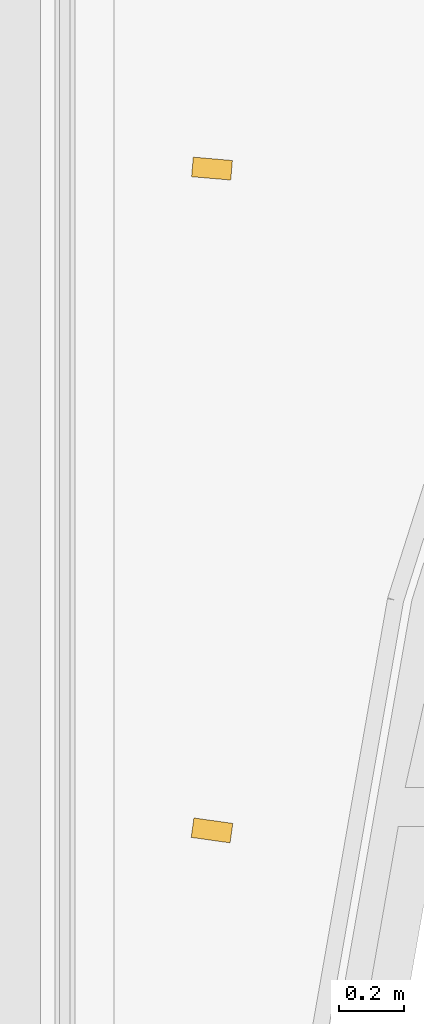
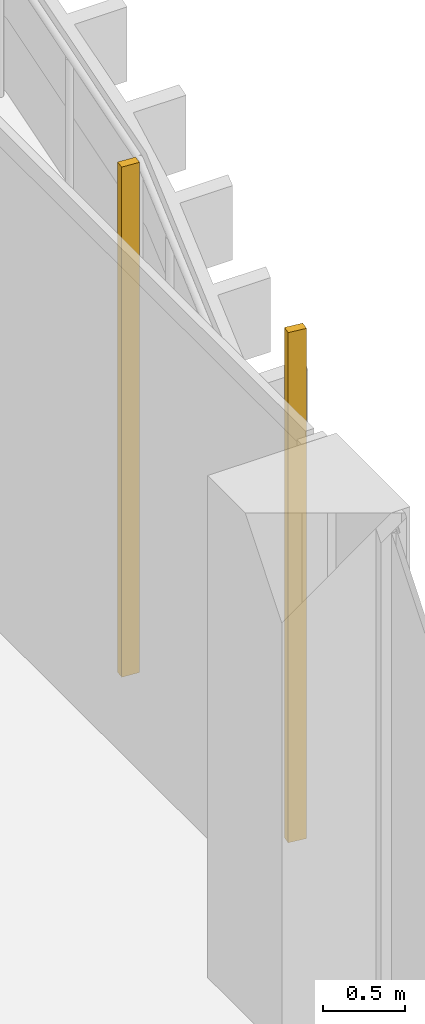
# One storey, part 25 of 27: 2 shading devices.
"""IFC4 building model written with IfcOpenShell, lengths in metres."""

from ifc_helpers import new_model, si_unit, direction, frame, origin, origin_2d, place, context, subcontext, project, spatial, rectangle, extrude, source, transform, mapped, material, material_profile, profile_set, type_object, element, save


model = new_model("IFC4")

# Units and contexts
model_context = context("Model", 3, precision=1e-05, world=origin(), true_north=direction((0.0, 1.0)))
body_context = subcontext(model_context, "Body", "Model", "MODEL_VIEW")
ifc_project = project(units=[si_unit("LENGTHUNIT", "METRE"), si_unit("AREAUNIT", "SQUARE_METRE"), si_unit("VOLUMEUNIT", "CUBIC_METRE"), si_unit("PLANEANGLEUNIT", "RADIAN"), si_unit("MASSUNIT", "GRAM", prefix="KILO")], contexts=[model_context])

# Site, building, storey
site_placement = place(None, origin())
site = spatial("IfcSite", under=ifc_project, at=site_placement, CompositionType="ELEMENT")
building_placement = place(site_placement, origin())
building = spatial("IfcBuilding", under=site, at=building_placement, Name="Kilnfold Tower and Market Hall", CompositionType="ELEMENT")
storey_placement = place(building_placement, frame((0.0, 0.0, 71.199951171875)))
storey = spatial("IfcBuildingStorey", under=building, at=storey_placement, Name="L16", CompositionType="ELEMENT", Elevation=71.199951171875)

# Shading devices
ifc_material = material(Name="Terracotta", Category="masonry")
ifc_material_profile = material_profile(ifc_material, rectangle(XDim=0.06005859375, YDim=0.1201171875, at=origin_2d()), Name="BAG 60x120")
ifc_profile_set = profile_set([ifc_material_profile], Name="Terracotta")
shading_device_type = type_object("IfcShadingDeviceType", Name="BAGUETTE", PredefinedType="USERDEFINED", material=ifc_profile_set)
shared_shape = source(origin(), body_context, "Body", "SweptSolid", [
    extrude(rectangle(XDim=0.06005859375, YDim=0.1201171875, at=origin_2d()), origin(), (0.0, 0.0, 1.0), 3.780029296875),
])
for number, where, z_axis, x_axis, name in (
    (1, (33.300048828125, 0.46240234375, 0.0), (0.0, 0.0, 1.0), (0.139171372616, 0.990268311643, 0.0), "Terracotta baguette L16 E"),
    (2, (33.300048828125, 2.487548828125, 0.0), (0.0, 0.0, 1.0), (0.085312585634, 0.996354235567, 0.0), "Terracotta baguette L16 E"),
):
    element("IfcShadingDevice", number, at=place(storey_placement, frame(where, z_axis=z_axis, x_axis=x_axis)), inside=storey, type_object=shading_device_type, Name=name, ObjectType="BAGUETTE", PredefinedType="USERDEFINED", context=body_context, shape_type="MappedRepresentation", body=[
        mapped(shared_shape, transform((0.0, 0.0, 0.0))),
    ])

save(model, "model.ifc")
